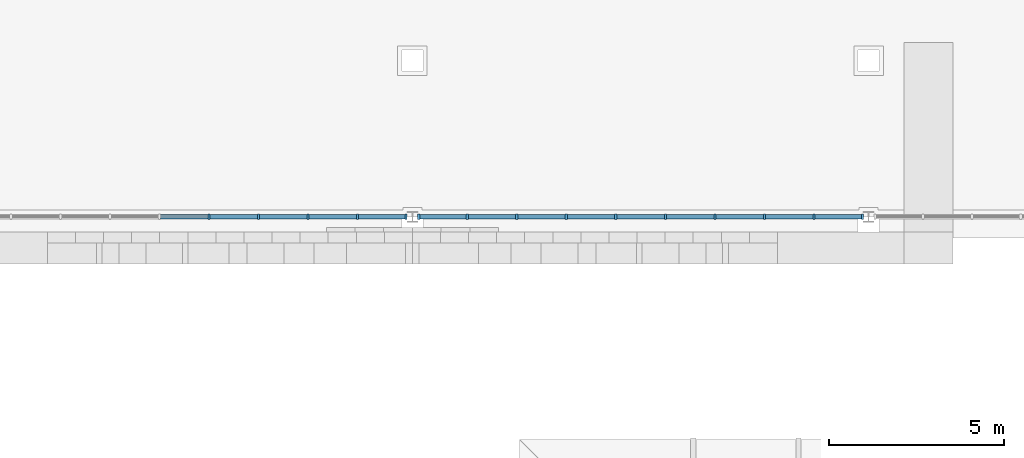
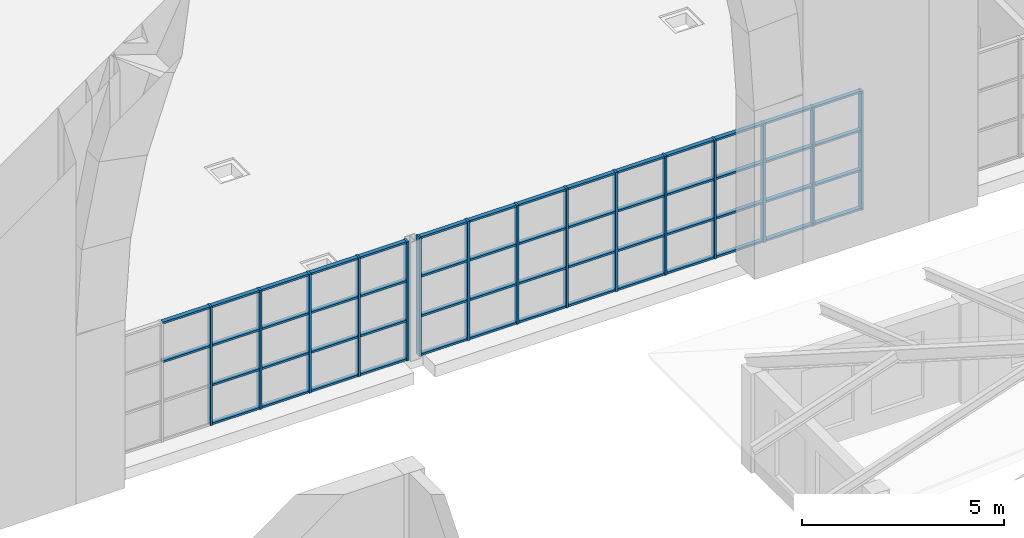
# One storey, part 13 of 82: 69 members, 2 elements without a shape of their own.
"""IFC4 building model written with IfcOpenShell, lengths in metres."""

from ifc_helpers import new_model, si_unit, direction, frame, origin, origin_2d, place, context, subcontext, project, spatial, rectangle, extrude, material, material_profile, profile_set, type_object, element, aggregate, save


model = new_model("IFC4")

# Units and contexts
model_context = context("Model", 3, precision=1e-05, world=origin(), true_north=direction((0.0, 1.0)))
body_context = subcontext(model_context, "Body", "Model", "MODEL_VIEW")
ifc_project = project(units=[si_unit("LENGTHUNIT", "METRE"), si_unit("AREAUNIT", "SQUARE_METRE"), si_unit("VOLUMEUNIT", "CUBIC_METRE"), si_unit("PLANEANGLEUNIT", "RADIAN"), si_unit("MASSUNIT", "GRAM", prefix="KILO")], contexts=[model_context])

# Site, building, storey
site_placement = place(None, origin())
site = spatial("IfcSite", under=ifc_project, at=site_placement, CompositionType="ELEMENT")
building_placement = place(site_placement, origin())
building = spatial("IfcBuilding", under=site, at=building_placement, Name="Elbe Cascade School", CompositionType="ELEMENT")
storey_placement = place(building_placement, frame((0.0, 0.0, 4.5)))
storey = spatial("IfcBuildingStorey", under=building, at=storey_placement, Name="L01", CompositionType="ELEMENT", Elevation=4.5)

# Curtain wall, members
ifc_material_1 = material(Name="Glass - double glazed low-E", Category="glass")
curtain_wall_type = type_object("IfcCurtainWallType", Name="Hall gable curtain wall", PredefinedType="NOTDEFINED", material=ifc_material_1)
curtain_wall_1_placement = place(storey_placement, origin())
curtain_wall_1 = element("IfcCurtainWall", 1, at=curtain_wall_1_placement, inside=storey, type_object=curtain_wall_type, Name="Gable curtain wall S2", PredefinedType="NOTDEFINED")
ifc_material_2 = material(Name="Aluminium - bronze anodised", Category="aluminium")
ifc_material_profile_1 = material_profile(ifc_material_2, rectangle(XDim=0.159912109375, YDim=0.06005859375, at=origin_2d()), Name="Alu 60x160")
ifc_profile_set_1 = profile_set([ifc_material_profile_1], Name="Aluminium - bronze anodised")
member_type_1 = type_object("IfcMemberType", Name="Hall gable mullion 60x160", PredefinedType="MULLION", material=ifc_profile_set_1)
member_1_placement = place(storey_placement, frame((28.20556640625, 41.300048828125, 0.0), z_axis=(0.0, 0.0, 1.0), x_axis=(0.0, 1.0, 0.0)))
member_1 = element("IfcMember", 2, at=member_1_placement, type_object=member_type_1, Name="CW6 mullion 6", PredefinedType="MULLION", context=body_context, shape_type="SweptSolid", body=[
    extrude(rectangle(XDim=0.159912109375, YDim=0.06005859375, at=origin_2d()), origin(), (0.0, 0.0, 1.0), 3.60009765625),
])
member_2_placement = place(storey_placement, frame((29.61669921875, 41.300048828125, 0.0), z_axis=(0.0, 0.0, 1.0), x_axis=(0.0, 1.0, 0.0)))
member_2 = element("IfcMember", 3, at=member_2_placement, type_object=member_type_1, Name="CW6 mullion 7", PredefinedType="MULLION", context=body_context, shape_type="SweptSolid", body=[
    extrude(rectangle(XDim=0.159912109375, YDim=0.06005859375, at=origin_2d()), origin(), (0.0, 0.0, 1.0), 3.60009765625),
])
member_3_placement = place(storey_placement, frame((31.02783203125, 41.300048828125, 0.0), z_axis=(0.0, 0.0, 1.0), x_axis=(0.0, 1.0, 0.0)))
member_3 = element("IfcMember", 4, at=member_3_placement, type_object=member_type_1, Name="CW6 mullion 8", PredefinedType="MULLION", context=body_context, shape_type="SweptSolid", body=[
    extrude(rectangle(XDim=0.159912109375, YDim=0.06005859375, at=origin_2d()), origin(), (0.0, 0.0, 1.0), 3.60009765625),
])
member_4_placement = place(storey_placement, frame((32.43896484375, 41.300048828125, 0.0), z_axis=(0.0, 0.0, 1.0), x_axis=(0.0, 1.0, 0.0)))
member_4 = element("IfcMember", 5, at=member_4_placement, type_object=member_type_1, Name="CW6 mullion 9", PredefinedType="MULLION", context=body_context, shape_type="SweptSolid", body=[
    extrude(rectangle(XDim=0.159912109375, YDim=0.06005859375, at=origin_2d()), origin(), (0.0, 0.0, 1.0), 3.60009765625),
])
member_5_placement = place(storey_placement, frame((33.820068359375, 41.300048828125, 0.0), z_axis=(0.0, 0.0, 1.0), x_axis=(0.0, 1.0, 0.0)))
member_5 = element("IfcMember", 6, at=member_5_placement, type_object=member_type_1, Name="CW6 mullion 10", PredefinedType="MULLION", context=body_context, shape_type="SweptSolid", body=[
    extrude(rectangle(XDim=0.159912109375, YDim=0.06005859375, at=origin_2d()), origin(), (0.0, 0.0, 1.0), 3.60009765625),
])

curtain_wall_2_placement = place(storey_placement, origin())
curtain_wall_2 = element("IfcCurtainWall", 7, at=curtain_wall_2_placement, inside=storey, type_object=curtain_wall_type, Name="Gable curtain wall S3", PredefinedType="NOTDEFINED")
member_6_placement = place(storey_placement, frame((34.179931640625, 41.300048828125, 0.0), z_axis=(0.0, 0.0, 1.0), x_axis=(0.0, 1.0, 0.0)))
member_6 = element("IfcMember", 8, at=member_6_placement, type_object=member_type_1, Name="CW6 mullion 1", PredefinedType="MULLION", context=body_context, shape_type="SweptSolid", body=[
    extrude(rectangle(XDim=0.159912109375, YDim=0.06005859375, at=origin_2d()), origin(), (0.0, 0.0, 1.0), 3.60009765625),
])
member_7_placement = place(storey_placement, frame((35.56103515625, 41.300048828125, 0.0), z_axis=(0.0, 0.0, 1.0), x_axis=(0.0, 1.0, 0.0)))
member_7 = element("IfcMember", 9, at=member_7_placement, type_object=member_type_1, Name="CW6 mullion 2", PredefinedType="MULLION", context=body_context, shape_type="SweptSolid", body=[
    extrude(rectangle(XDim=0.159912109375, YDim=0.06005859375, at=origin_2d()), origin(), (0.0, 0.0, 1.0), 3.60009765625),
])
member_8_placement = place(storey_placement, frame((36.97216796875, 41.300048828125, 0.0), z_axis=(0.0, 0.0, 1.0), x_axis=(0.0, 1.0, 0.0)))
member_8 = element("IfcMember", 10, at=member_8_placement, type_object=member_type_1, Name="CW6 mullion 3", PredefinedType="MULLION", context=body_context, shape_type="SweptSolid", body=[
    extrude(rectangle(XDim=0.159912109375, YDim=0.06005859375, at=origin_2d()), origin(), (0.0, 0.0, 1.0), 3.60009765625),
])
member_9_placement = place(storey_placement, frame((38.38330078125, 41.300048828125, 0.0), z_axis=(0.0, 0.0, 1.0), x_axis=(0.0, 1.0, 0.0)))
member_9 = element("IfcMember", 11, at=member_9_placement, type_object=member_type_1, Name="CW6 mullion 4", PredefinedType="MULLION", context=body_context, shape_type="SweptSolid", body=[
    extrude(rectangle(XDim=0.159912109375, YDim=0.06005859375, at=origin_2d()), origin(), (0.0, 0.0, 1.0), 3.60009765625),
])
member_10_placement = place(storey_placement, frame((39.79443359375, 41.300048828125, 0.0), z_axis=(0.0, 0.0, 1.0), x_axis=(0.0, 1.0, 0.0)))
member_10 = element("IfcMember", 12, at=member_10_placement, type_object=member_type_1, Name="CW6 mullion 5", PredefinedType="MULLION", context=body_context, shape_type="SweptSolid", body=[
    extrude(rectangle(XDim=0.159912109375, YDim=0.06005859375, at=origin_2d()), origin(), (0.0, 0.0, 1.0), 3.60009765625),
])
member_11_placement = place(storey_placement, frame((41.20556640625, 41.300048828125, 0.0), z_axis=(0.0, 0.0, 1.0), x_axis=(0.0, 1.0, 0.0)))
member_11 = element("IfcMember", 13, at=member_11_placement, type_object=member_type_1, Name="CW6 mullion 6", PredefinedType="MULLION", context=body_context, shape_type="SweptSolid", body=[
    extrude(rectangle(XDim=0.159912109375, YDim=0.06005859375, at=origin_2d()), origin(), (0.0, 0.0, 1.0), 3.60009765625),
])
member_12_placement = place(storey_placement, frame((42.61669921875, 41.300048828125, 0.0), z_axis=(0.0, 0.0, 1.0), x_axis=(0.0, 1.0, 0.0)))
member_12 = element("IfcMember", 14, at=member_12_placement, type_object=member_type_1, Name="CW6 mullion 7", PredefinedType="MULLION", context=body_context, shape_type="SweptSolid", body=[
    extrude(rectangle(XDim=0.159912109375, YDim=0.06005859375, at=origin_2d()), origin(), (0.0, 0.0, 1.0), 3.60009765625),
])
member_13_placement = place(storey_placement, frame((44.02783203125, 41.300048828125, 0.0), z_axis=(0.0, 0.0, 1.0), x_axis=(0.0, 1.0, 0.0)))
member_13 = element("IfcMember", 15, at=member_13_placement, type_object=member_type_1, Name="CW6 mullion 8", PredefinedType="MULLION", context=body_context, shape_type="SweptSolid", body=[
    extrude(rectangle(XDim=0.159912109375, YDim=0.06005859375, at=origin_2d()), origin(), (0.0, 0.0, 1.0), 3.60009765625),
])
member_14_placement = place(storey_placement, frame((45.43896484375, 41.300048828125, 0.0), z_axis=(0.0, 0.0, 1.0), x_axis=(0.0, 1.0, 0.0)))
member_14 = element("IfcMember", 16, at=member_14_placement, type_object=member_type_1, Name="CW6 mullion 9", PredefinedType="MULLION", context=body_context, shape_type="SweptSolid", body=[
    extrude(rectangle(XDim=0.159912109375, YDim=0.06005859375, at=origin_2d()), origin(), (0.0, 0.0, 1.0), 3.60009765625),
])
member_15_placement = place(storey_placement, frame((46.820068359375, 41.300048828125, 0.0), z_axis=(0.0, 0.0, 1.0), x_axis=(0.0, 1.0, 0.0)))
member_15 = element("IfcMember", 17, at=member_15_placement, type_object=member_type_1, Name="CW6 mullion 10", PredefinedType="MULLION", context=body_context, shape_type="SweptSolid", body=[
    extrude(rectangle(XDim=0.159912109375, YDim=0.06005859375, at=origin_2d()), origin(), (0.0, 0.0, 1.0), 3.60009765625),
])

# Member
ifc_material_3 = material(Name="Aluminium - bronze anodised", Category="aluminium")
ifc_material_profile_2 = material_profile(ifc_material_3, rectangle(XDim=0.1201171875, YDim=0.06005859375, at=origin_2d()), Name="Alu 60x120")
ifc_profile_set_2 = profile_set([ifc_material_profile_2], Name="Aluminium - bronze anodised")
member_type_2 = type_object("IfcMemberType", Name="Hall gable transom 60x120", PredefinedType="USERDEFINED", material=ifc_profile_set_2)
member_16_placement = place(storey_placement, frame((26.824462890625, 41.300048828125, 2.39990234375), z_axis=(1.0, 0.0, 0.0), x_axis=(0.0, 1.0, 0.0)))
member_16 = element("IfcMember", 18, at=member_16_placement, type_object=member_type_2, Name="CW6 transom 5.3", ObjectType="TRANSOM", PredefinedType="USERDEFINED", context=body_context, shape_type="SweptSolid", body=[
    extrude(rectangle(XDim=0.1201171875, YDim=0.06005859375, at=origin_2d()), origin(), (0.0, 0.0, 1.0), 1.35107421875),
])

member_17_placement = place(storey_placement, frame((26.824462890625, 41.300048828125, 3.570068359375), z_axis=(1.0, 0.0, 0.0), x_axis=(0.0, 1.0, 0.0)))
member_17 = element("IfcMember", 19, at=member_17_placement, type_object=member_type_2, Name="CW6 transom 5.4", ObjectType="TRANSOM", PredefinedType="USERDEFINED", context=body_context, shape_type="SweptSolid", body=[
    extrude(rectangle(XDim=0.1201171875, YDim=0.06005859375, at=origin_2d()), origin(), (0.0, 0.0, 1.0), 1.35107421875),
])

member_18_placement = place(storey_placement, frame((28.235595703125, 41.300048828125, 0.030029296875), z_axis=(1.0, 0.0, 0.0), x_axis=(0.0, 1.0, 0.0)))
member_18 = element("IfcMember", 20, at=member_18_placement, type_object=member_type_2, Name="CW6 transom 6.1", ObjectType="TRANSOM", PredefinedType="USERDEFINED", context=body_context, shape_type="SweptSolid", body=[
    extrude(rectangle(XDim=0.1201171875, YDim=0.06005859375, at=origin_2d()), origin(), (0.0, 0.0, 1.0), 1.35107421875),
])

member_19_placement = place(storey_placement, frame((28.235595703125, 41.300048828125, 1.199951171875), z_axis=(1.0, 0.0, 0.0), x_axis=(0.0, 1.0, 0.0)))
member_19 = element("IfcMember", 21, at=member_19_placement, type_object=member_type_2, Name="CW6 transom 6.2", ObjectType="TRANSOM", PredefinedType="USERDEFINED", context=body_context, shape_type="SweptSolid", body=[
    extrude(rectangle(XDim=0.1201171875, YDim=0.06005859375, at=origin_2d()), origin(), (0.0, 0.0, 1.0), 1.35107421875),
])

member_20_placement = place(storey_placement, frame((28.235595703125, 41.300048828125, 2.39990234375), z_axis=(1.0, 0.0, 0.0), x_axis=(0.0, 1.0, 0.0)))
member_20 = element("IfcMember", 22, at=member_20_placement, type_object=member_type_2, Name="CW6 transom 6.3", ObjectType="TRANSOM", PredefinedType="USERDEFINED", context=body_context, shape_type="SweptSolid", body=[
    extrude(rectangle(XDim=0.1201171875, YDim=0.06005859375, at=origin_2d()), origin(), (0.0, 0.0, 1.0), 1.35107421875),
])

member_21_placement = place(storey_placement, frame((28.235595703125, 41.300048828125, 3.570068359375), z_axis=(1.0, 0.0, 0.0), x_axis=(0.0, 1.0, 0.0)))
member_21 = element("IfcMember", 23, at=member_21_placement, type_object=member_type_2, Name="CW6 transom 6.4", ObjectType="TRANSOM", PredefinedType="USERDEFINED", context=body_context, shape_type="SweptSolid", body=[
    extrude(rectangle(XDim=0.1201171875, YDim=0.06005859375, at=origin_2d()), origin(), (0.0, 0.0, 1.0), 1.35107421875),
])

member_22_placement = place(storey_placement, frame((29.646728515625, 41.300048828125, 0.030029296875), z_axis=(1.0, 0.0, 0.0), x_axis=(0.0, 1.0, 0.0)))
member_22 = element("IfcMember", 24, at=member_22_placement, type_object=member_type_2, Name="CW6 transom 7.1", ObjectType="TRANSOM", PredefinedType="USERDEFINED", context=body_context, shape_type="SweptSolid", body=[
    extrude(rectangle(XDim=0.1201171875, YDim=0.06005859375, at=origin_2d()), origin(), (0.0, 0.0, 1.0), 1.35107421875),
])

member_23_placement = place(storey_placement, frame((29.646728515625, 41.300048828125, 1.199951171875), z_axis=(1.0, 0.0, 0.0), x_axis=(0.0, 1.0, 0.0)))
member_23 = element("IfcMember", 25, at=member_23_placement, type_object=member_type_2, Name="CW6 transom 7.2", ObjectType="TRANSOM", PredefinedType="USERDEFINED", context=body_context, shape_type="SweptSolid", body=[
    extrude(rectangle(XDim=0.1201171875, YDim=0.06005859375, at=origin_2d()), origin(), (0.0, 0.0, 1.0), 1.35107421875),
])

member_24_placement = place(storey_placement, frame((29.646728515625, 41.300048828125, 2.39990234375), z_axis=(1.0, 0.0, 0.0), x_axis=(0.0, 1.0, 0.0)))
member_24 = element("IfcMember", 26, at=member_24_placement, type_object=member_type_2, Name="CW6 transom 7.3", ObjectType="TRANSOM", PredefinedType="USERDEFINED", context=body_context, shape_type="SweptSolid", body=[
    extrude(rectangle(XDim=0.1201171875, YDim=0.06005859375, at=origin_2d()), origin(), (0.0, 0.0, 1.0), 1.35107421875),
])

member_25_placement = place(storey_placement, frame((29.646728515625, 41.300048828125, 3.570068359375), z_axis=(1.0, 0.0, 0.0), x_axis=(0.0, 1.0, 0.0)))
member_25 = element("IfcMember", 27, at=member_25_placement, type_object=member_type_2, Name="CW6 transom 7.4", ObjectType="TRANSOM", PredefinedType="USERDEFINED", context=body_context, shape_type="SweptSolid", body=[
    extrude(rectangle(XDim=0.1201171875, YDim=0.06005859375, at=origin_2d()), origin(), (0.0, 0.0, 1.0), 1.35107421875),
])

member_26_placement = place(storey_placement, frame((31.057861328125, 41.300048828125, 0.030029296875), z_axis=(1.0, 0.0, 0.0), x_axis=(0.0, 1.0, 0.0)))
member_26 = element("IfcMember", 28, at=member_26_placement, type_object=member_type_2, Name="CW6 transom 8.1", ObjectType="TRANSOM", PredefinedType="USERDEFINED", context=body_context, shape_type="SweptSolid", body=[
    extrude(rectangle(XDim=0.1201171875, YDim=0.06005859375, at=origin_2d()), origin(), (0.0, 0.0, 1.0), 1.35107421875),
])

member_27_placement = place(storey_placement, frame((31.057861328125, 41.300048828125, 1.199951171875), z_axis=(1.0, 0.0, 0.0), x_axis=(0.0, 1.0, 0.0)))
member_27 = element("IfcMember", 29, at=member_27_placement, type_object=member_type_2, Name="CW6 transom 8.2", ObjectType="TRANSOM", PredefinedType="USERDEFINED", context=body_context, shape_type="SweptSolid", body=[
    extrude(rectangle(XDim=0.1201171875, YDim=0.06005859375, at=origin_2d()), origin(), (0.0, 0.0, 1.0), 1.35107421875),
])

member_28_placement = place(storey_placement, frame((31.057861328125, 41.300048828125, 2.39990234375), z_axis=(1.0, 0.0, 0.0), x_axis=(0.0, 1.0, 0.0)))
member_28 = element("IfcMember", 30, at=member_28_placement, type_object=member_type_2, Name="CW6 transom 8.3", ObjectType="TRANSOM", PredefinedType="USERDEFINED", context=body_context, shape_type="SweptSolid", body=[
    extrude(rectangle(XDim=0.1201171875, YDim=0.06005859375, at=origin_2d()), origin(), (0.0, 0.0, 1.0), 1.35107421875),
])

member_29_placement = place(storey_placement, frame((31.057861328125, 41.300048828125, 3.570068359375), z_axis=(1.0, 0.0, 0.0), x_axis=(0.0, 1.0, 0.0)))
member_29 = element("IfcMember", 31, at=member_29_placement, type_object=member_type_2, Name="CW6 transom 8.4", ObjectType="TRANSOM", PredefinedType="USERDEFINED", context=body_context, shape_type="SweptSolid", body=[
    extrude(rectangle(XDim=0.1201171875, YDim=0.06005859375, at=origin_2d()), origin(), (0.0, 0.0, 1.0), 1.35107421875),
])

member_30_placement = place(storey_placement, frame((32.468994140625, 41.300048828125, 0.030029296875), z_axis=(1.0, 0.0, 0.0), x_axis=(0.0, 1.0, 0.0)))
member_30 = element("IfcMember", 32, at=member_30_placement, type_object=member_type_2, Name="CW6 transom 9.1", ObjectType="TRANSOM", PredefinedType="USERDEFINED", context=body_context, shape_type="SweptSolid", body=[
    extrude(rectangle(XDim=0.1201171875, YDim=0.06005859375, at=origin_2d()), origin(), (0.0, 0.0, 1.0), 1.321044921875),
])

member_31_placement = place(storey_placement, frame((32.468994140625, 41.300048828125, 1.199951171875), z_axis=(1.0, 0.0, 0.0), x_axis=(0.0, 1.0, 0.0)))
member_31 = element("IfcMember", 33, at=member_31_placement, type_object=member_type_2, Name="CW6 transom 9.2", ObjectType="TRANSOM", PredefinedType="USERDEFINED", context=body_context, shape_type="SweptSolid", body=[
    extrude(rectangle(XDim=0.1201171875, YDim=0.06005859375, at=origin_2d()), origin(), (0.0, 0.0, 1.0), 1.321044921875),
])

member_32_placement = place(storey_placement, frame((32.468994140625, 41.300048828125, 2.39990234375), z_axis=(1.0, 0.0, 0.0), x_axis=(0.0, 1.0, 0.0)))
member_32 = element("IfcMember", 34, at=member_32_placement, type_object=member_type_2, Name="CW6 transom 9.3", ObjectType="TRANSOM", PredefinedType="USERDEFINED", context=body_context, shape_type="SweptSolid", body=[
    extrude(rectangle(XDim=0.1201171875, YDim=0.06005859375, at=origin_2d()), origin(), (0.0, 0.0, 1.0), 1.321044921875),
])

member_33_placement = place(storey_placement, frame((32.468994140625, 41.300048828125, 3.570068359375), z_axis=(1.0, 0.0, 0.0), x_axis=(0.0, 1.0, 0.0)))
member_33 = element("IfcMember", 35, at=member_33_placement, type_object=member_type_2, Name="CW6 transom 9.4", ObjectType="TRANSOM", PredefinedType="USERDEFINED", context=body_context, shape_type="SweptSolid", body=[
    extrude(rectangle(XDim=0.1201171875, YDim=0.06005859375, at=origin_2d()), origin(), (0.0, 0.0, 1.0), 1.321044921875),
])

aggregate(curtain_wall_1, [member_1, member_2, member_3, member_4, member_5, member_16, member_17, member_18, member_19, member_20, member_21, member_22, member_23, member_24, member_25, member_26, member_27, member_28, member_29, member_30, member_31, member_32, member_33])

member_34_placement = place(storey_placement, frame((34.2099609375, 41.300048828125, 0.030029296875), z_axis=(1.0, 0.0, 0.0), x_axis=(0.0, 1.0, 0.0)))
member_34 = element("IfcMember", 36, at=member_34_placement, type_object=member_type_2, Name="CW6 transom 1.1", ObjectType="TRANSOM", PredefinedType="USERDEFINED", context=body_context, shape_type="SweptSolid", body=[
    extrude(rectangle(XDim=0.1201171875, YDim=0.06005859375, at=origin_2d()), origin(), (0.0, 0.0, 1.0), 1.321044921875),
])

member_35_placement = place(storey_placement, frame((34.2099609375, 41.300048828125, 1.199951171875), z_axis=(1.0, 0.0, 0.0), x_axis=(0.0, 1.0, 0.0)))
member_35 = element("IfcMember", 37, at=member_35_placement, type_object=member_type_2, Name="CW6 transom 1.2", ObjectType="TRANSOM", PredefinedType="USERDEFINED", context=body_context, shape_type="SweptSolid", body=[
    extrude(rectangle(XDim=0.1201171875, YDim=0.06005859375, at=origin_2d()), origin(), (0.0, 0.0, 1.0), 1.321044921875),
])

member_36_placement = place(storey_placement, frame((34.2099609375, 41.300048828125, 2.39990234375), z_axis=(1.0, 0.0, 0.0), x_axis=(0.0, 1.0, 0.0)))
member_36 = element("IfcMember", 38, at=member_36_placement, type_object=member_type_2, Name="CW6 transom 1.3", ObjectType="TRANSOM", PredefinedType="USERDEFINED", context=body_context, shape_type="SweptSolid", body=[
    extrude(rectangle(XDim=0.1201171875, YDim=0.06005859375, at=origin_2d()), origin(), (0.0, 0.0, 1.0), 1.321044921875),
])

member_37_placement = place(storey_placement, frame((34.2099609375, 41.300048828125, 3.570068359375), z_axis=(1.0, 0.0, 0.0), x_axis=(0.0, 1.0, 0.0)))
member_37 = element("IfcMember", 39, at=member_37_placement, type_object=member_type_2, Name="CW6 transom 1.4", ObjectType="TRANSOM", PredefinedType="USERDEFINED", context=body_context, shape_type="SweptSolid", body=[
    extrude(rectangle(XDim=0.1201171875, YDim=0.06005859375, at=origin_2d()), origin(), (0.0, 0.0, 1.0), 1.321044921875),
])

member_38_placement = place(storey_placement, frame((35.591064453125, 41.300048828125, 0.030029296875), z_axis=(1.0, 0.0, 0.0), x_axis=(0.0, 1.0, 0.0)))
member_38 = element("IfcMember", 40, at=member_38_placement, type_object=member_type_2, Name="CW6 transom 2.1", ObjectType="TRANSOM", PredefinedType="USERDEFINED", context=body_context, shape_type="SweptSolid", body=[
    extrude(rectangle(XDim=0.1201171875, YDim=0.06005859375, at=origin_2d()), origin(), (0.0, 0.0, 1.0), 1.35107421875),
])

member_39_placement = place(storey_placement, frame((35.591064453125, 41.300048828125, 1.199951171875), z_axis=(1.0, 0.0, 0.0), x_axis=(0.0, 1.0, 0.0)))
member_39 = element("IfcMember", 41, at=member_39_placement, type_object=member_type_2, Name="CW6 transom 2.2", ObjectType="TRANSOM", PredefinedType="USERDEFINED", context=body_context, shape_type="SweptSolid", body=[
    extrude(rectangle(XDim=0.1201171875, YDim=0.06005859375, at=origin_2d()), origin(), (0.0, 0.0, 1.0), 1.35107421875),
])

member_40_placement = place(storey_placement, frame((35.591064453125, 41.300048828125, 2.39990234375), z_axis=(1.0, 0.0, 0.0), x_axis=(0.0, 1.0, 0.0)))
member_40 = element("IfcMember", 42, at=member_40_placement, type_object=member_type_2, Name="CW6 transom 2.3", ObjectType="TRANSOM", PredefinedType="USERDEFINED", context=body_context, shape_type="SweptSolid", body=[
    extrude(rectangle(XDim=0.1201171875, YDim=0.06005859375, at=origin_2d()), origin(), (0.0, 0.0, 1.0), 1.35107421875),
])

member_41_placement = place(storey_placement, frame((35.591064453125, 41.300048828125, 3.570068359375), z_axis=(1.0, 0.0, 0.0), x_axis=(0.0, 1.0, 0.0)))
member_41 = element("IfcMember", 43, at=member_41_placement, type_object=member_type_2, Name="CW6 transom 2.4", ObjectType="TRANSOM", PredefinedType="USERDEFINED", context=body_context, shape_type="SweptSolid", body=[
    extrude(rectangle(XDim=0.1201171875, YDim=0.06005859375, at=origin_2d()), origin(), (0.0, 0.0, 1.0), 1.35107421875),
])

member_42_placement = place(storey_placement, frame((37.002197265625, 41.300048828125, 0.030029296875), z_axis=(1.0, 0.0, 0.0), x_axis=(0.0, 1.0, 0.0)))
member_42 = element("IfcMember", 44, at=member_42_placement, type_object=member_type_2, Name="CW6 transom 3.1", ObjectType="TRANSOM", PredefinedType="USERDEFINED", context=body_context, shape_type="SweptSolid", body=[
    extrude(rectangle(XDim=0.1201171875, YDim=0.06005859375, at=origin_2d()), origin(), (0.0, 0.0, 1.0), 1.35107421875),
])

member_43_placement = place(storey_placement, frame((37.002197265625, 41.300048828125, 1.199951171875), z_axis=(1.0, 0.0, 0.0), x_axis=(0.0, 1.0, 0.0)))
member_43 = element("IfcMember", 45, at=member_43_placement, type_object=member_type_2, Name="CW6 transom 3.2", ObjectType="TRANSOM", PredefinedType="USERDEFINED", context=body_context, shape_type="SweptSolid", body=[
    extrude(rectangle(XDim=0.1201171875, YDim=0.06005859375, at=origin_2d()), origin(), (0.0, 0.0, 1.0), 1.35107421875),
])

member_44_placement = place(storey_placement, frame((37.002197265625, 41.300048828125, 2.39990234375), z_axis=(1.0, 0.0, 0.0), x_axis=(0.0, 1.0, 0.0)))
member_44 = element("IfcMember", 46, at=member_44_placement, type_object=member_type_2, Name="CW6 transom 3.3", ObjectType="TRANSOM", PredefinedType="USERDEFINED", context=body_context, shape_type="SweptSolid", body=[
    extrude(rectangle(XDim=0.1201171875, YDim=0.06005859375, at=origin_2d()), origin(), (0.0, 0.0, 1.0), 1.35107421875),
])

member_45_placement = place(storey_placement, frame((37.002197265625, 41.300048828125, 3.570068359375), z_axis=(1.0, 0.0, 0.0), x_axis=(0.0, 1.0, 0.0)))
member_45 = element("IfcMember", 47, at=member_45_placement, type_object=member_type_2, Name="CW6 transom 3.4", ObjectType="TRANSOM", PredefinedType="USERDEFINED", context=body_context, shape_type="SweptSolid", body=[
    extrude(rectangle(XDim=0.1201171875, YDim=0.06005859375, at=origin_2d()), origin(), (0.0, 0.0, 1.0), 1.35107421875),
])

member_46_placement = place(storey_placement, frame((38.413330078125, 41.300048828125, 0.030029296875), z_axis=(1.0, 0.0, 0.0), x_axis=(0.0, 1.0, 0.0)))
member_46 = element("IfcMember", 48, at=member_46_placement, type_object=member_type_2, Name="CW6 transom 4.1", ObjectType="TRANSOM", PredefinedType="USERDEFINED", context=body_context, shape_type="SweptSolid", body=[
    extrude(rectangle(XDim=0.1201171875, YDim=0.06005859375, at=origin_2d()), origin(), (0.0, 0.0, 1.0), 1.35107421875),
])

member_47_placement = place(storey_placement, frame((38.413330078125, 41.300048828125, 1.199951171875), z_axis=(1.0, 0.0, 0.0), x_axis=(0.0, 1.0, 0.0)))
member_47 = element("IfcMember", 49, at=member_47_placement, type_object=member_type_2, Name="CW6 transom 4.2", ObjectType="TRANSOM", PredefinedType="USERDEFINED", context=body_context, shape_type="SweptSolid", body=[
    extrude(rectangle(XDim=0.1201171875, YDim=0.06005859375, at=origin_2d()), origin(), (0.0, 0.0, 1.0), 1.35107421875),
])

member_48_placement = place(storey_placement, frame((38.413330078125, 41.300048828125, 2.39990234375), z_axis=(1.0, 0.0, 0.0), x_axis=(0.0, 1.0, 0.0)))
member_48 = element("IfcMember", 50, at=member_48_placement, type_object=member_type_2, Name="CW6 transom 4.3", ObjectType="TRANSOM", PredefinedType="USERDEFINED", context=body_context, shape_type="SweptSolid", body=[
    extrude(rectangle(XDim=0.1201171875, YDim=0.06005859375, at=origin_2d()), origin(), (0.0, 0.0, 1.0), 1.35107421875),
])

member_49_placement = place(storey_placement, frame((38.413330078125, 41.300048828125, 3.570068359375), z_axis=(1.0, 0.0, 0.0), x_axis=(0.0, 1.0, 0.0)))
member_49 = element("IfcMember", 51, at=member_49_placement, type_object=member_type_2, Name="CW6 transom 4.4", ObjectType="TRANSOM", PredefinedType="USERDEFINED", context=body_context, shape_type="SweptSolid", body=[
    extrude(rectangle(XDim=0.1201171875, YDim=0.06005859375, at=origin_2d()), origin(), (0.0, 0.0, 1.0), 1.35107421875),
])

member_50_placement = place(storey_placement, frame((39.824462890625, 41.300048828125, 0.030029296875), z_axis=(1.0, 0.0, 0.0), x_axis=(0.0, 1.0, 0.0)))
member_50 = element("IfcMember", 52, at=member_50_placement, type_object=member_type_2, Name="CW6 transom 5.1", ObjectType="TRANSOM", PredefinedType="USERDEFINED", context=body_context, shape_type="SweptSolid", body=[
    extrude(rectangle(XDim=0.1201171875, YDim=0.06005859375, at=origin_2d()), origin(), (0.0, 0.0, 1.0), 1.35107421875),
])

member_51_placement = place(storey_placement, frame((39.824462890625, 41.300048828125, 1.199951171875), z_axis=(1.0, 0.0, 0.0), x_axis=(0.0, 1.0, 0.0)))
member_51 = element("IfcMember", 53, at=member_51_placement, type_object=member_type_2, Name="CW6 transom 5.2", ObjectType="TRANSOM", PredefinedType="USERDEFINED", context=body_context, shape_type="SweptSolid", body=[
    extrude(rectangle(XDim=0.1201171875, YDim=0.06005859375, at=origin_2d()), origin(), (0.0, 0.0, 1.0), 1.35107421875),
])

member_52_placement = place(storey_placement, frame((39.824462890625, 41.300048828125, 2.39990234375), z_axis=(1.0, 0.0, 0.0), x_axis=(0.0, 1.0, 0.0)))
member_52 = element("IfcMember", 54, at=member_52_placement, type_object=member_type_2, Name="CW6 transom 5.3", ObjectType="TRANSOM", PredefinedType="USERDEFINED", context=body_context, shape_type="SweptSolid", body=[
    extrude(rectangle(XDim=0.1201171875, YDim=0.06005859375, at=origin_2d()), origin(), (0.0, 0.0, 1.0), 1.35107421875),
])

member_53_placement = place(storey_placement, frame((39.824462890625, 41.300048828125, 3.570068359375), z_axis=(1.0, 0.0, 0.0), x_axis=(0.0, 1.0, 0.0)))
member_53 = element("IfcMember", 55, at=member_53_placement, type_object=member_type_2, Name="CW6 transom 5.4", ObjectType="TRANSOM", PredefinedType="USERDEFINED", context=body_context, shape_type="SweptSolid", body=[
    extrude(rectangle(XDim=0.1201171875, YDim=0.06005859375, at=origin_2d()), origin(), (0.0, 0.0, 1.0), 1.35107421875),
])

member_54_placement = place(storey_placement, frame((41.235595703125, 41.300048828125, 0.030029296875), z_axis=(1.0, 0.0, 0.0), x_axis=(0.0, 1.0, 0.0)))
member_54 = element("IfcMember", 56, at=member_54_placement, type_object=member_type_2, Name="CW6 transom 6.1", ObjectType="TRANSOM", PredefinedType="USERDEFINED", context=body_context, shape_type="SweptSolid", body=[
    extrude(rectangle(XDim=0.1201171875, YDim=0.06005859375, at=origin_2d()), origin(), (0.0, 0.0, 1.0), 1.35107421875),
])

member_55_placement = place(storey_placement, frame((41.235595703125, 41.300048828125, 1.199951171875), z_axis=(1.0, 0.0, 0.0), x_axis=(0.0, 1.0, 0.0)))
member_55 = element("IfcMember", 57, at=member_55_placement, type_object=member_type_2, Name="CW6 transom 6.2", ObjectType="TRANSOM", PredefinedType="USERDEFINED", context=body_context, shape_type="SweptSolid", body=[
    extrude(rectangle(XDim=0.1201171875, YDim=0.06005859375, at=origin_2d()), origin(), (0.0, 0.0, 1.0), 1.35107421875),
])

member_56_placement = place(storey_placement, frame((41.235595703125, 41.300048828125, 2.39990234375), z_axis=(1.0, 0.0, 0.0), x_axis=(0.0, 1.0, 0.0)))
member_56 = element("IfcMember", 58, at=member_56_placement, type_object=member_type_2, Name="CW6 transom 6.3", ObjectType="TRANSOM", PredefinedType="USERDEFINED", context=body_context, shape_type="SweptSolid", body=[
    extrude(rectangle(XDim=0.1201171875, YDim=0.06005859375, at=origin_2d()), origin(), (0.0, 0.0, 1.0), 1.35107421875),
])

member_57_placement = place(storey_placement, frame((41.235595703125, 41.300048828125, 3.570068359375), z_axis=(1.0, 0.0, 0.0), x_axis=(0.0, 1.0, 0.0)))
member_57 = element("IfcMember", 59, at=member_57_placement, type_object=member_type_2, Name="CW6 transom 6.4", ObjectType="TRANSOM", PredefinedType="USERDEFINED", context=body_context, shape_type="SweptSolid", body=[
    extrude(rectangle(XDim=0.1201171875, YDim=0.06005859375, at=origin_2d()), origin(), (0.0, 0.0, 1.0), 1.35107421875),
])

member_58_placement = place(storey_placement, frame((42.646728515625, 41.300048828125, 0.030029296875), z_axis=(1.0, 0.0, 0.0), x_axis=(0.0, 1.0, 0.0)))
member_58 = element("IfcMember", 60, at=member_58_placement, type_object=member_type_2, Name="CW6 transom 7.1", ObjectType="TRANSOM", PredefinedType="USERDEFINED", context=body_context, shape_type="SweptSolid", body=[
    extrude(rectangle(XDim=0.1201171875, YDim=0.06005859375, at=origin_2d()), origin(), (0.0, 0.0, 1.0), 1.35107421875),
])

member_59_placement = place(storey_placement, frame((42.646728515625, 41.300048828125, 1.199951171875), z_axis=(1.0, 0.0, 0.0), x_axis=(0.0, 1.0, 0.0)))
member_59 = element("IfcMember", 61, at=member_59_placement, type_object=member_type_2, Name="CW6 transom 7.2", ObjectType="TRANSOM", PredefinedType="USERDEFINED", context=body_context, shape_type="SweptSolid", body=[
    extrude(rectangle(XDim=0.1201171875, YDim=0.06005859375, at=origin_2d()), origin(), (0.0, 0.0, 1.0), 1.35107421875),
])

member_60_placement = place(storey_placement, frame((42.646728515625, 41.300048828125, 2.39990234375), z_axis=(1.0, 0.0, 0.0), x_axis=(0.0, 1.0, 0.0)))
member_60 = element("IfcMember", 62, at=member_60_placement, type_object=member_type_2, Name="CW6 transom 7.3", ObjectType="TRANSOM", PredefinedType="USERDEFINED", context=body_context, shape_type="SweptSolid", body=[
    extrude(rectangle(XDim=0.1201171875, YDim=0.06005859375, at=origin_2d()), origin(), (0.0, 0.0, 1.0), 1.35107421875),
])

member_61_placement = place(storey_placement, frame((42.646728515625, 41.300048828125, 3.570068359375), z_axis=(1.0, 0.0, 0.0), x_axis=(0.0, 1.0, 0.0)))
member_61 = element("IfcMember", 63, at=member_61_placement, type_object=member_type_2, Name="CW6 transom 7.4", ObjectType="TRANSOM", PredefinedType="USERDEFINED", context=body_context, shape_type="SweptSolid", body=[
    extrude(rectangle(XDim=0.1201171875, YDim=0.06005859375, at=origin_2d()), origin(), (0.0, 0.0, 1.0), 1.35107421875),
])

member_62_placement = place(storey_placement, frame((44.057861328125, 41.300048828125, 0.030029296875), z_axis=(1.0, 0.0, 0.0), x_axis=(0.0, 1.0, 0.0)))
member_62 = element("IfcMember", 64, at=member_62_placement, type_object=member_type_2, Name="CW6 transom 8.1", ObjectType="TRANSOM", PredefinedType="USERDEFINED", context=body_context, shape_type="SweptSolid", body=[
    extrude(rectangle(XDim=0.1201171875, YDim=0.06005859375, at=origin_2d()), origin(), (0.0, 0.0, 1.0), 1.35107421875),
])

member_63_placement = place(storey_placement, frame((44.057861328125, 41.300048828125, 1.199951171875), z_axis=(1.0, 0.0, 0.0), x_axis=(0.0, 1.0, 0.0)))
member_63 = element("IfcMember", 65, at=member_63_placement, type_object=member_type_2, Name="CW6 transom 8.2", ObjectType="TRANSOM", PredefinedType="USERDEFINED", context=body_context, shape_type="SweptSolid", body=[
    extrude(rectangle(XDim=0.1201171875, YDim=0.06005859375, at=origin_2d()), origin(), (0.0, 0.0, 1.0), 1.35107421875),
])

member_64_placement = place(storey_placement, frame((44.057861328125, 41.300048828125, 2.39990234375), z_axis=(1.0, 0.0, 0.0), x_axis=(0.0, 1.0, 0.0)))
member_64 = element("IfcMember", 66, at=member_64_placement, type_object=member_type_2, Name="CW6 transom 8.3", ObjectType="TRANSOM", PredefinedType="USERDEFINED", context=body_context, shape_type="SweptSolid", body=[
    extrude(rectangle(XDim=0.1201171875, YDim=0.06005859375, at=origin_2d()), origin(), (0.0, 0.0, 1.0), 1.35107421875),
])

member_65_placement = place(storey_placement, frame((44.057861328125, 41.300048828125, 3.570068359375), z_axis=(1.0, 0.0, 0.0), x_axis=(0.0, 1.0, 0.0)))
member_65 = element("IfcMember", 67, at=member_65_placement, type_object=member_type_2, Name="CW6 transom 8.4", ObjectType="TRANSOM", PredefinedType="USERDEFINED", context=body_context, shape_type="SweptSolid", body=[
    extrude(rectangle(XDim=0.1201171875, YDim=0.06005859375, at=origin_2d()), origin(), (0.0, 0.0, 1.0), 1.35107421875),
])

member_66_placement = place(storey_placement, frame((45.468994140625, 41.300048828125, 0.030029296875), z_axis=(1.0, 0.0, 0.0), x_axis=(0.0, 1.0, 0.0)))
member_66 = element("IfcMember", 68, at=member_66_placement, type_object=member_type_2, Name="CW6 transom 9.1", ObjectType="TRANSOM", PredefinedType="USERDEFINED", context=body_context, shape_type="SweptSolid", body=[
    extrude(rectangle(XDim=0.1201171875, YDim=0.06005859375, at=origin_2d()), origin(), (0.0, 0.0, 1.0), 1.321044921875),
])

member_67_placement = place(storey_placement, frame((45.468994140625, 41.300048828125, 1.199951171875), z_axis=(1.0, 0.0, 0.0), x_axis=(0.0, 1.0, 0.0)))
member_67 = element("IfcMember", 69, at=member_67_placement, type_object=member_type_2, Name="CW6 transom 9.2", ObjectType="TRANSOM", PredefinedType="USERDEFINED", context=body_context, shape_type="SweptSolid", body=[
    extrude(rectangle(XDim=0.1201171875, YDim=0.06005859375, at=origin_2d()), origin(), (0.0, 0.0, 1.0), 1.321044921875),
])

member_68_placement = place(storey_placement, frame((45.468994140625, 41.300048828125, 2.39990234375), z_axis=(1.0, 0.0, 0.0), x_axis=(0.0, 1.0, 0.0)))
member_68 = element("IfcMember", 70, at=member_68_placement, type_object=member_type_2, Name="CW6 transom 9.3", ObjectType="TRANSOM", PredefinedType="USERDEFINED", context=body_context, shape_type="SweptSolid", body=[
    extrude(rectangle(XDim=0.1201171875, YDim=0.06005859375, at=origin_2d()), origin(), (0.0, 0.0, 1.0), 1.321044921875),
])

member_69_placement = place(storey_placement, frame((45.468994140625, 41.300048828125, 3.570068359375), z_axis=(1.0, 0.0, 0.0), x_axis=(0.0, 1.0, 0.0)))
member_69 = element("IfcMember", 71, at=member_69_placement, type_object=member_type_2, Name="CW6 transom 9.4", ObjectType="TRANSOM", PredefinedType="USERDEFINED", context=body_context, shape_type="SweptSolid", body=[
    extrude(rectangle(XDim=0.1201171875, YDim=0.06005859375, at=origin_2d()), origin(), (0.0, 0.0, 1.0), 1.321044921875),
])

aggregate(curtain_wall_2, [member_6, member_7, member_8, member_9, member_10, member_11, member_12, member_13, member_14, member_15, member_34, member_35, member_36, member_37, member_38, member_39, member_40, member_41, member_42, member_43, member_44, member_45, member_46, member_47, member_48, member_49, member_50, member_51, member_52, member_53, member_54, member_55, member_56, member_57, member_58, member_59, member_60, member_61, member_62, member_63, member_64, member_65, member_66, member_67, member_68, member_69])

save(model, "model.ifc")
